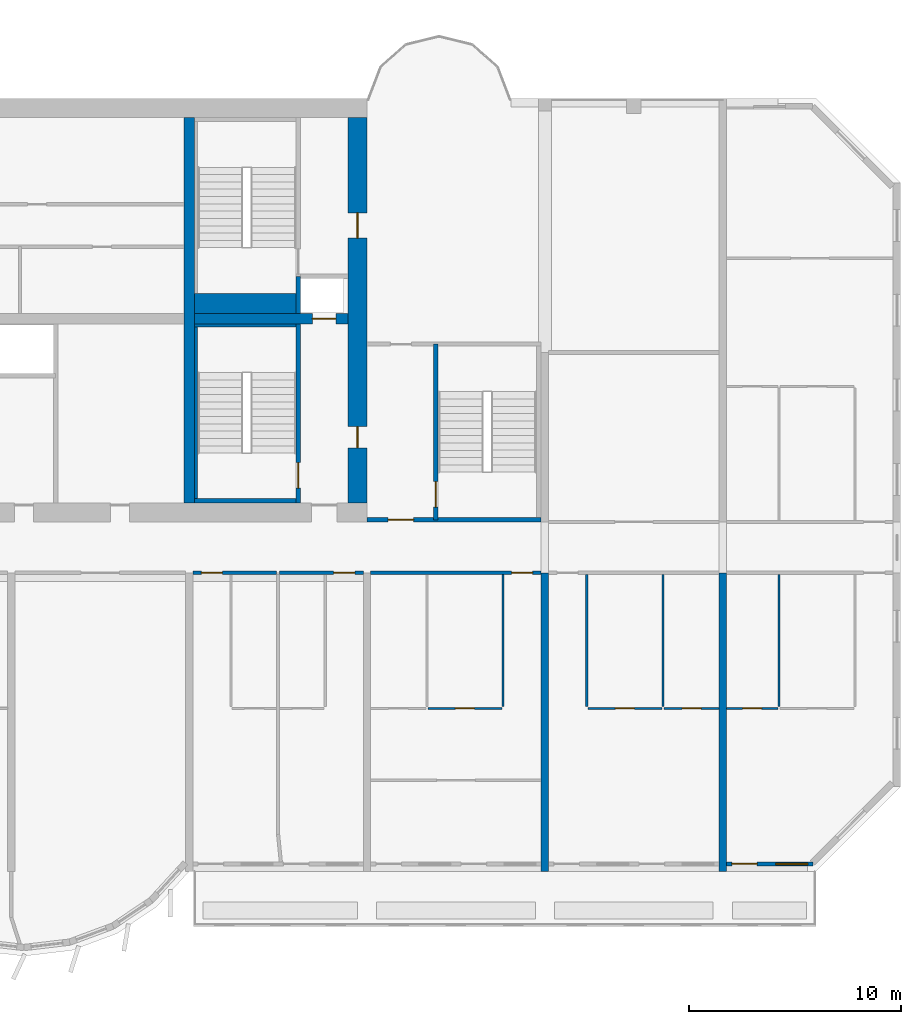
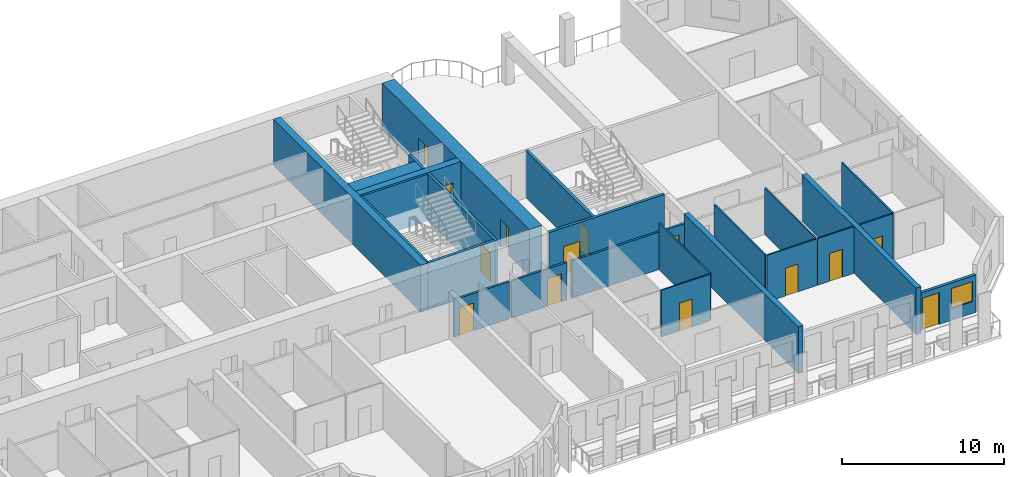
# One storey, part 9 of 14: 25 walls, 14 doors, 1 window, 15 openings.
"""IFC4 building model written with IfcOpenShell, lengths in metres."""

from ifc_helpers import new_model, si_unit, direction, frame, frame_2d, origin, place, context, subcontext, project, spatial, rectangle, extrude, source, transform, mapped, material, layer, layer_set, type_object, element, fill, save


model = new_model("IFC4")

# Units and contexts
model_context = context("Model", 3, precision=1e-05, world=origin(), true_north=direction((0.0, 1.0)))
body_context = subcontext(model_context, "Body", "Model", "MODEL_VIEW")
ifc_project = project(units=[si_unit("LENGTHUNIT", "METRE"), si_unit("AREAUNIT", "SQUARE_METRE"), si_unit("VOLUMEUNIT", "CUBIC_METRE"), si_unit("PLANEANGLEUNIT", "RADIAN"), si_unit("MASSUNIT", "GRAM", prefix="KILO")], contexts=[model_context])

# Site, building, storey
site_placement = place(None, origin())
site = spatial("IfcSite", under=ifc_project, at=site_placement, CompositionType="ELEMENT")
building_placement = place(site_placement, origin())
building = spatial("IfcBuilding", under=site, at=building_placement, Name="Vanashikhar Sky Hotel", CompositionType="ELEMENT")
storey_placement = place(building_placement, frame((0.0, 0.0, 121.800048828125)))
storey = spatial("IfcBuildingStorey", under=building, at=storey_placement, Name="L29", CompositionType="ELEMENT", Elevation=121.800048828125)

# Wall, openings, doors
ifc_material_1 = material(Name="Concrete M70", Category="concrete")
ifc_layer_1 = layer(ifc_material_1, 0.89990234375)
ifc_layer_set_1 = layer_set([ifc_layer_1], Name="RC core shell wall 900 Concrete M70")
wall_type_1 = type_object("IfcWallType", Name="RC core shell wall 900 Concrete M70", PredefinedType="SHEAR", material=ifc_layer_set_1)
shared_shape_1 = source(origin(), body_context, "Body", "SweptSolid", [
    extrude(rectangle(XDim=18.2001953125, YDim=0.89990234375, at=frame_2d((9.10009765625, 0.0))), origin(), (0.0, 0.0, 1.0), 3.52001953125),
])
wall_1_placement = place(storey_placement, frame((75.14990234375, 22.89990234375, 0.0), z_axis=(0.0, 0.0, 1.0), x_axis=(0.0, 1.0, 0.0)))
wall_1 = element("IfcWall", 1, at=wall_1_placement, inside=storey, type_object=wall_type_1, Name="KW-L29-KE", PredefinedType="SHEAR", context=body_context, shape_type="MappedRepresentation", body=[
    mapped(shared_shape_1, transform((0.0, 0.0, 0.0), scale=1.0)),
])
shared_shape_2 = source(origin(), body_context, "Body", "SweptSolid", [
    extrude(rectangle(XDim=1.0, YDim=2.10009765625, at=frame_2d((0.5, 1.050048828125))), frame((0.0, 0.4599609375, 0.0), z_axis=(0.0, -1.0, 0.0), x_axis=(1.0, 0.0, 0.0)), (0.0, 0.0, 1.0), 0.919921875),
])
opening_1_placement = place(wall_1_placement, frame((2.60009765625, 0.0, 0.0)))
opening_1 = element("IfcOpeningElement", 2, at=opening_1_placement, cuts=wall_1, Name="Opening DC-5", PredefinedType="OPENING", context=body_context, shape_type="MappedRepresentation", body=[
    mapped(shared_shape_2, transform((0.0, 0.0, 0.0), scale=1.0)),
])
shared_shape_3 = source(origin(), body_context, "Body", "SweptSolid", [
    extrude(rectangle(XDim=1.199951171875, YDim=2.10009765625, at=frame_2d((0.60009765625, 1.050048828125))), frame((0.0, 0.4599609375, 0.0), z_axis=(0.0, -1.0, 0.0), x_axis=(1.0, 0.0, 0.0)), (0.0, 0.0, 1.0), 0.919921875),
])
opening_2_placement = place(wall_1_placement, frame((12.5, 0.0, 0.0)))
opening_2 = element("IfcOpeningElement", 3, at=opening_2_placement, cuts=wall_1, Name="Opening DC-4-D", PredefinedType="OPENING", context=body_context, shape_type="MappedRepresentation", body=[
    mapped(shared_shape_3, transform((0.0, 0.0, 0.0), scale=1.0)),
])
ifc_material_2 = material(Name="Steel", Category="steel")
door_type_1 = type_object("IfcDoorType", Name="Refuge door 1000 FD120", OperationType="NOTDEFINED", PredefinedType="DOOR", material=ifc_material_2)
shared_shape_4 = source(origin(), body_context, "Body", "SweptSolid", [
    extrude(rectangle(XDim=1.0, YDim=2.10009765625, at=frame_2d((0.5, 1.050048828125))), frame((0.0, 0.02490234375, 0.0), z_axis=(0.0, -1.0, 0.0), x_axis=(1.0, 0.0, 0.0)), (0.0, 0.0, 1.0), 0.050048828125),
])
door_1_placement = place(opening_1_placement, origin())
door_1 = element("IfcDoor", 4, at=door_1_placement, inside=storey, type_object=door_type_1, Name="Refuge door 1000 FD120", OperationType="SINGLE_SWING_RIGHT", OverallHeight=2.10009765625, OverallWidth=1.0, PredefinedType="DOOR", context=body_context, shape_type="MappedRepresentation", body=[
    mapped(shared_shape_4, transform((0.0, 0.0, 0.0), scale=1.0)),
])
fill(opening_1, door_1)
door_type_2 = type_object("IfcDoorType", Name="Service door 1200 FD120", OperationType="NOTDEFINED", PredefinedType="DOOR", material=ifc_material_2)
shared_shape_5 = source(origin(), body_context, "Body", "SweptSolid", [
    extrude(rectangle(XDim=1.199951171875, YDim=2.10009765625, at=frame_2d((0.60009765625, 1.050048828125))), frame((0.0, 0.02490234375, 0.0), z_axis=(0.0, -1.0, 0.0), x_axis=(1.0, 0.0, 0.0)), (0.0, 0.0, 1.0), 0.050048828125),
])
door_2_placement = place(opening_2_placement, origin())
door_2 = element("IfcDoor", 5, at=door_2_placement, inside=storey, type_object=door_type_2, Name="Service door 1200 FD120", OperationType="SINGLE_SWING_RIGHT", OverallHeight=2.10009765625, OverallWidth=1.199951171875, PredefinedType="DOOR", context=body_context, shape_type="MappedRepresentation", body=[
    mapped(shared_shape_5, transform((0.0, 0.0, 0.0), scale=1.0)),
])
fill(opening_2, door_2)

# Wall
ifc_layer_2 = layer(ifc_material_1, 0.5)
ifc_layer_set_2 = layer_set([ifc_layer_2], Name="RC core inner wall 500 Concrete M70")
wall_type_2 = type_object("IfcWallType", Name="RC core inner wall 500 Concrete M70", PredefinedType="SHEAR", material=ifc_layer_set_2)
shared_shape_6 = source(origin(), body_context, "Body", "SweptSolid", [
    extrude(rectangle(XDim=18.2001953125, YDim=0.5, at=frame_2d((9.10009765625, 0.0))), origin(), (0.0, 0.0, 1.0), 3.52001953125),
])
wall_2_placement = place(storey_placement, frame((67.199951171875, 22.89990234375, 0.0), z_axis=(0.0, 0.0, 1.0), x_axis=(0.0, 1.0, 0.0)))
element("IfcWall", 6, at=wall_2_placement, inside=storey, type_object=wall_type_2, Name="KW-L29-KX3", PredefinedType="SHEAR", context=body_context, shape_type="MappedRepresentation", body=[
    mapped(shared_shape_6, transform((0.0, 0.0, 0.0), scale=1.0)),
])

# Wall, opening, door
shared_shape_7 = source(origin(), body_context, "Body", "SweptSolid", [
    extrude(rectangle(XDim=7.25, YDim=0.5, at=frame_2d((3.625, 0.0))), origin(), (0.0, 0.0, 1.0), 3.52001953125),
])
wall_3_placement = place(storey_placement, frame((67.449951171875, 31.60009765625, 0.0), z_axis=(0.0, 0.0, 1.0), x_axis=(1.0, 0.0, 0.0)))
wall_3 = element("IfcWall", 7, at=wall_3_placement, inside=storey, type_object=wall_type_2, Name="KW-L29-KY4", PredefinedType="SHEAR", context=body_context, shape_type="MappedRepresentation", body=[
    mapped(shared_shape_7, transform((0.0, 0.0, 0.0), scale=1.0)),
])
shared_shape_8 = source(origin(), body_context, "Body", "SweptSolid", [
    extrude(rectangle(XDim=1.10009765625, YDim=2.10009765625, at=frame_2d((0.550048828125, 1.050048828125))), frame((0.0, 0.260009765625, 0.0), z_axis=(0.0, -1.0, 0.0), x_axis=(1.0, 0.0, 0.0)), (0.0, 0.0, 1.0), 0.52001953125),
])
opening_3_placement = place(wall_3_placement, frame((5.574951171875, 0.0, 0.0)))
opening_3 = element("IfcOpeningElement", 8, at=opening_3_placement, cuts=wall_3, Name="Opening LD", PredefinedType="OPENING", context=body_context, shape_type="MappedRepresentation", body=[
    mapped(shared_shape_8, transform((0.0, 0.0, 0.0), scale=1.0)),
])
ifc_material_3 = material(Name="Stainless steel", Category="steel")
door_type_3 = type_object("IfcDoorType", Name="Lift landing door 1100", OperationType="NOTDEFINED", PredefinedType="DOOR", material=ifc_material_3)
shared_shape_9 = source(origin(), body_context, "Body", "SweptSolid", [
    extrude(rectangle(XDim=1.10009765625, YDim=2.10009765625, at=frame_2d((0.550048828125, 1.050048828125))), frame((0.0, 0.02490234375, 0.0), z_axis=(0.0, -1.0, 0.0), x_axis=(1.0, 0.0, 0.0)), (0.0, 0.0, 1.0), 0.050048828125),
])
door_3_placement = place(opening_3_placement, origin())
door_3 = element("IfcDoor", 9, at=door_3_placement, inside=storey, type_object=door_type_3, Name="Lift landing door 1100", OperationType="SLIDING_TO_LEFT", OverallHeight=2.10009765625, OverallWidth=1.10009765625, PredefinedType="DOOR", context=body_context, shape_type="MappedRepresentation", body=[
    mapped(shared_shape_9, transform((0.0, 0.0, 0.0), scale=1.0)),
])
fill(opening_3, door_3)

# Walls
ifc_layer_3 = layer(ifc_material_1, 0.35009765625)
ifc_layer_set_3 = layer_set([ifc_layer_3], Name="RC shear wall 350 Concrete M70")
wall_type_3 = type_object("IfcWallType", Name="RC shear wall 350 Concrete M70", PredefinedType="SHEAR", material=ifc_layer_set_3)
shared_shape_10 = source(origin(), body_context, "Body", "SweptSolid", [
    extrude(rectangle(XDim=14.10009765625, YDim=0.35009765625, at=frame_2d((7.050048828125, 0.0))), origin(), (0.0, 0.0, 1.0), 3.52001953125),
])
for number, where, z_axis, x_axis, name in (
    (10, (84.0, 5.5, 0.0), (0.0, 0.0, 1.0), (0.0, 1.0, 0.0), "CW-L29-XW11-1"),
    (11, (92.39990234375, 5.5, 0.0), (0.0, 0.0, 1.0), (0.0, 1.0, 0.0), "CW-L29-XW12-1"),
):
    element("IfcWall", number, at=place(storey_placement, frame(where, z_axis=z_axis, x_axis=x_axis)), inside=storey, type_object=wall_type_3, Name=name, PredefinedType="SHEAR", context=body_context, shape_type="MappedRepresentation", body=[
        mapped(shared_shape_10, transform((0.0, 0.0, 0.0), scale=1.0)),
    ])

# Wall, openings, window, door
ifc_material_4 = material(Name="Concrete M50", Category="concrete")
ifc_layer_4 = layer(ifc_material_4, 0.199951171875)
ifc_layer_set_4 = layer_set([ifc_layer_4], Name="Front window wall 200")
wall_type_4 = type_object("IfcWallType", Name="Front window wall 200", PredefinedType="SOLIDWALL", material=ifc_layer_set_4)
shared_shape_11 = source(origin(), body_context, "Body", "SweptSolid", [
    extrude(rectangle(XDim=4.080078125, YDim=0.199951171875, at=frame_2d((2.0400390625, 0.0))), origin(), (0.0, 0.0, 1.0), 2.820068359375),
])
wall_4_placement = place(storey_placement, frame((92.574951171875, 5.85009765625, 0.0), z_axis=(0.0, 0.0, 1.0), x_axis=(1.0, 0.0, 0.0)))
wall_4 = element("IfcWall", 12, at=wall_4_placement, inside=storey, type_object=wall_type_4, Name="Front window wall", PredefinedType="SOLIDWALL", context=body_context, shape_type="MappedRepresentation", body=[
    mapped(shared_shape_11, transform((0.0, 0.0, 0.0), scale=1.0)),
])
shared_shape_12 = source(origin(), body_context, "Body", "SweptSolid", [
    extrude(rectangle(XDim=1.199951171875, YDim=2.39990234375, at=frame_2d((0.60009765625, 1.199951171875))), frame((0.0, 0.10986328125, 0.0), z_axis=(0.0, -1.0, 0.0), x_axis=(1.0, 0.0, 0.0)), (0.0, 0.0, 1.0), 0.219970703125),
])
opening_4_placement = place(wall_4_placement, frame((0.25, 0.0, 0.0)))
opening_4 = element("IfcOpeningElement", 13, at=opening_4_placement, cuts=wall_4, Name="Opening BD-14", PredefinedType="OPENING", context=body_context, shape_type="MappedRepresentation", body=[
    mapped(shared_shape_12, transform((0.0, 0.0, 0.0), scale=1.0)),
])
shared_shape_13 = source(origin(), body_context, "Body", "SweptSolid", [
    extrude(rectangle(XDim=1.5, YDim=1.5, at=frame_2d((0.75, 0.75))), frame((0.0, 0.10986328125, 0.0), z_axis=(0.0, -1.0, 0.0), x_axis=(1.0, 0.0, 0.0)), (0.0, 0.0, 1.0), 0.219970703125),
])
opening_5_placement = place(wall_4_placement, frame((2.330078125, 0.0, 0.89990234375)))
opening_5 = element("IfcOpeningElement", 14, at=opening_5_placement, cuts=wall_4, Name="Opening WN-1", PredefinedType="OPENING", context=body_context, shape_type="MappedRepresentation", body=[
    mapped(shared_shape_13, transform((0.0, 0.0, 0.0), scale=1.0)),
])
ifc_material_5 = material(Name="Glass", Category="glass")
window_type = type_object("IfcWindowType", Name="Window 1500 x 1500", PartitioningType="SINGLE_PANEL", PredefinedType="WINDOW", material=ifc_material_5)
shared_shape_14 = source(origin(), body_context, "Body", "SweptSolid", [
    extrude(rectangle(XDim=1.5, YDim=1.5, at=frame_2d((0.75, 0.75))), frame((0.0, 0.030029296875, 0.0), z_axis=(0.0, -1.0, 0.0), x_axis=(1.0, 0.0, 0.0)), (0.0, 0.0, 1.0), 0.06005859375),
])
window_placement = place(opening_5_placement, origin())
window = element("IfcWindow", 15, at=window_placement, inside=storey, type_object=window_type, Name="Window WN-1", OverallHeight=1.5, OverallWidth=1.5, PartitioningType="SINGLE_PANEL", PredefinedType="WINDOW", context=body_context, shape_type="MappedRepresentation", body=[
    mapped(shared_shape_14, transform((0.0, 0.0, 0.0), scale=1.0)),
])
fill(opening_5, window)
ifc_material_6 = material(Name="Aluminium", Category="aluminium")
door_type_4 = type_object("IfcDoorType", Name="Balcony sliding door 1200 x 2400", OperationType="NOTDEFINED", PredefinedType="DOOR", material=ifc_material_6)
shared_shape_15 = source(origin(), body_context, "Body", "SweptSolid", [
    extrude(rectangle(XDim=1.199951171875, YDim=2.39990234375, at=frame_2d((0.60009765625, 1.199951171875))), frame((0.0, 0.02490234375, 0.0), z_axis=(0.0, -1.0, 0.0), x_axis=(1.0, 0.0, 0.0)), (0.0, 0.0, 1.0), 0.050048828125),
])
door_4_placement = place(opening_4_placement, origin())
door_4 = element("IfcDoor", 16, at=door_4_placement, inside=storey, type_object=door_type_4, Name="Balcony sliding door", OperationType="SLIDING_TO_RIGHT", OverallHeight=2.39990234375, OverallWidth=1.199951171875, PredefinedType="DOOR", context=body_context, shape_type="MappedRepresentation", body=[
    mapped(shared_shape_15, transform((0.0, 0.0, 0.0), scale=1.0)),
])
fill(opening_4, door_4)

# Wall, opening, door
ifc_layer_5 = layer(ifc_material_4, 0.199951171875)
ifc_layer_set_5 = layer_set([ifc_layer_5], Name="Stair wall 200")
wall_type_5 = type_object("IfcWallType", Name="Stair wall 200", PredefinedType="SOLIDWALL", material=ifc_layer_set_5)
shared_shape_16 = source(origin(), body_context, "Body", "SweptSolid", [
    extrude(rectangle(XDim=8.2998046875, YDim=0.199951171875, at=frame_2d((4.14990234375, 0.0))), origin(), (0.0, 0.0, 1.0), 3.52001953125),
])
wall_5_placement = place(storey_placement, frame((78.85009765625, 22.10009765625, 0.0), z_axis=(0.0, 0.0, 1.0), x_axis=(0.0, 1.0, 0.0)))
wall_5 = element("IfcWall", 17, at=wall_5_placement, inside=storey, type_object=wall_type_5, Name="Stair wall 200", PredefinedType="SOLIDWALL", context=body_context, shape_type="MappedRepresentation", body=[
    mapped(shared_shape_16, transform((0.0, 0.0, 0.0), scale=1.0)),
])
shared_shape_17 = source(origin(), body_context, "Body", "SweptSolid", [
    extrude(rectangle(XDim=1.199951171875, YDim=2.10009765625, at=frame_2d((0.60009765625, 1.050048828125))), frame((0.0, 0.10986328125, 0.0), z_axis=(0.0, -1.0, 0.0), x_axis=(1.0, 0.0, 0.0)), (0.0, 0.0, 1.0), 0.219970703125),
])
opening_6_placement = place(wall_5_placement, frame((0.60009765625, 0.0, 0.0)))
opening_6 = element("IfcOpeningElement", 18, at=opening_6_placement, cuts=wall_5, Name="Opening DC-1", PredefinedType="OPENING", context=body_context, shape_type="MappedRepresentation", body=[
    mapped(shared_shape_17, transform((0.0, 0.0, 0.0), scale=1.0)),
])
door_type_5 = type_object("IfcDoorType", Name="Stair door 1200 FD120", OperationType="NOTDEFINED", PredefinedType="DOOR", material=ifc_material_2)
door_5_placement = place(opening_6_placement, origin())
door_5 = element("IfcDoor", 19, at=door_5_placement, inside=storey, type_object=door_type_5, Name="Stair door 1200 FD120", OperationType="SINGLE_SWING_LEFT", OverallHeight=2.10009765625, OverallWidth=1.199951171875, PredefinedType="DOOR", context=body_context, shape_type="MappedRepresentation", body=[
    mapped(shared_shape_5, transform((0.0, 0.0, 0.0), scale=1.0)),
])
fill(opening_6, door_5)

shared_shape_18 = source(origin(), body_context, "Body", "SweptSolid", [
    extrude(rectangle(XDim=8.4501953125, YDim=0.199951171875, at=frame_2d((4.22509765625, 0.0))), origin(), (0.0, 0.0, 1.0), 3.52001953125),
])
wall_6_placement = place(storey_placement, frame((72.35009765625, 22.89990234375, 0.0), z_axis=(0.0, 0.0, 1.0), x_axis=(0.0, 1.0, 0.0)))
wall_6 = element("IfcWall", 20, at=wall_6_placement, inside=storey, type_object=wall_type_5, Name="Stair wall 200", PredefinedType="SOLIDWALL", context=body_context, shape_type="MappedRepresentation", body=[
    mapped(shared_shape_18, transform((0.0, 0.0, 0.0), scale=1.0)),
])
opening_7_placement = place(wall_6_placement, frame((0.699951171875, 0.0, 0.0)))
opening_7 = element("IfcOpeningElement", 21, at=opening_7_placement, cuts=wall_6, Name="Opening DC-1", PredefinedType="OPENING", context=body_context, shape_type="MappedRepresentation", body=[
    mapped(shared_shape_17, transform((0.0, 0.0, 0.0), scale=1.0)),
])
door_6_placement = place(opening_7_placement, origin())
door_6 = element("IfcDoor", 22, at=door_6_placement, inside=storey, type_object=door_type_5, Name="Stair door 1200 FD120", OperationType="SINGLE_SWING_LEFT", OverallHeight=2.10009765625, OverallWidth=1.199951171875, PredefinedType="DOOR", context=body_context, shape_type="MappedRepresentation", body=[
    mapped(shared_shape_5, transform((0.0, 0.0, 0.0), scale=1.0)),
])
fill(opening_7, door_6)

# Wall
ifc_material_7 = material(Name="Concrete M40", Category="concrete")
ifc_layer_6 = layer(ifc_material_7, 0.199951171875)
ifc_layer_set_6 = layer_set([ifc_layer_6], Name="Shaft wall 200")
wall_type_6 = type_object("IfcWallType", Name="Shaft wall 200", PredefinedType="SOLIDWALL", material=ifc_layer_set_6)
shared_shape_19 = source(origin(), body_context, "Body", "SweptSolid", [
    extrude(rectangle(XDim=1.75, YDim=0.199951171875, at=frame_2d((0.875, 0.0))), origin(), (0.0, 0.0, 1.0), 3.52001953125),
])
wall_7_placement = place(storey_placement, frame((72.35009765625, 31.85009765625, 0.0), z_axis=(0.0, 0.0, 1.0), x_axis=(0.0, 1.0, 0.0)))
element("IfcWall", 23, at=wall_7_placement, inside=storey, type_object=wall_type_6, Name="Shaft wall 200", PredefinedType="SOLIDWALL", context=body_context, shape_type="MappedRepresentation", body=[
    mapped(shared_shape_19, transform((0.0, 0.0, 0.0), scale=1.0)),
])

# Wall, opening, door
shared_shape_20 = source(origin(), body_context, "Body", "SweptSolid", [
    extrude(rectangle(XDim=8.224853515625, YDim=0.199951171875, at=frame_2d((4.1123046875, 0.0))), origin(), (0.0, 0.0, 1.0), 3.52001953125),
])
wall_8_placement = place(storey_placement, frame((83.824951171875, 22.10009765625, 0.0), z_axis=(0.0, 0.0, 1.0), x_axis=(-1.0, 0.0, 0.0)))
wall_8 = element("IfcWall", 24, at=wall_8_placement, inside=storey, type_object=wall_type_5, Name="Stair wall 200", PredefinedType="SOLIDWALL", context=body_context, shape_type="MappedRepresentation", body=[
    mapped(shared_shape_20, transform((0.0, 0.0, 0.0), scale=1.0)),
])
opening_8_placement = place(wall_8_placement, frame((6.02490234375, 0.0, 0.0)))
opening_8 = element("IfcOpeningElement", 25, at=opening_8_placement, cuts=wall_8, Name="Opening DC-2", PredefinedType="OPENING", context=body_context, shape_type="MappedRepresentation", body=[
    mapped(shared_shape_17, transform((0.0, 0.0, 0.0), scale=1.0)),
])
door_type_6 = type_object("IfcDoorType", Name="Firefighting lobby door 1200 FD120", OperationType="NOTDEFINED", PredefinedType="DOOR", material=ifc_material_2)
door_7_placement = place(opening_8_placement, origin())
door_7 = element("IfcDoor", 26, at=door_7_placement, inside=storey, type_object=door_type_6, Name="Firefighting lobby door 1200 FD120", OperationType="SINGLE_SWING_RIGHT", OverallHeight=2.10009765625, OverallWidth=1.199951171875, PredefinedType="DOOR", context=body_context, shape_type="MappedRepresentation", body=[
    mapped(shared_shape_5, transform((0.0, 0.0, 0.0), scale=1.0)),
])
fill(opening_8, door_7)

# Walls
ifc_layer_7 = layer(ifc_material_4, 0.199951171875)
ifc_layer_set_7 = layer_set([ifc_layer_7], Name="Stair infill wall 200")
wall_type_7 = type_object("IfcWallType", Name="Stair infill wall 200", PredefinedType="SOLIDWALL", material=ifc_layer_set_7)
shared_shape_21 = source(origin(), body_context, "Body", "SweptSolid", [
    extrude(rectangle(XDim=4.800048828125, YDim=0.199951171875, at=frame_2d((2.39990234375, 0.0))), origin(), (0.0, 0.0, 1.0), 3.52001953125),
])
wall_9_placement = place(storey_placement, frame((67.449951171875, 23.0, 0.0), z_axis=(0.0, 0.0, 1.0), x_axis=(1.0, 0.0, 0.0)))
element("IfcWall", 27, at=wall_9_placement, inside=storey, type_object=wall_type_7, Name="Stair infill wall 200", PredefinedType="SOLIDWALL", context=body_context, shape_type="MappedRepresentation", body=[
    mapped(shared_shape_21, transform((0.0, 0.0, 0.0), scale=1.0)),
])
ifc_layer_8 = layer(ifc_material_4, 0.14990234375)
ifc_layer_set_8 = layer_set([ifc_layer_8], Name="Stair infill wall 150")
wall_type_8 = type_object("IfcWallType", Name="Stair infill wall 150", PredefinedType="SOLIDWALL", material=ifc_layer_set_8)
shared_shape_22 = source(origin(), body_context, "Body", "SweptSolid", [
    extrude(rectangle(XDim=4.800048828125, YDim=0.14990234375, at=frame_2d((2.39990234375, 0.0))), origin(), (0.0, 0.0, 1.0), 3.52001953125),
])
wall_10_placement = place(storey_placement, frame((67.449951171875, 31.27490234375, 0.0), z_axis=(0.0, 0.0, 1.0), x_axis=(1.0, 0.0, 0.0)))
element("IfcWall", 28, at=wall_10_placement, inside=storey, type_object=wall_type_8, Name="Stair infill wall 150", PredefinedType="SOLIDWALL", context=body_context, shape_type="MappedRepresentation", body=[
    mapped(shared_shape_22, transform((0.0, 0.0, 0.0), scale=1.0)),
])
shared_shape_23 = source(origin(), body_context, "Body", "SweptSolid", [
    extrude(rectangle(XDim=8.099853515625, YDim=0.14990234375, at=frame_2d((4.0498046875, 0.0))), origin(), (0.0, 0.0, 1.0), 3.52001953125),
])
wall_11_placement = place(storey_placement, frame((67.52490234375, 23.10009765625, 0.0), z_axis=(0.0, 0.0, 1.0), x_axis=(0.0, 1.0, 0.0)))
element("IfcWall", 29, at=wall_11_placement, inside=storey, type_object=wall_type_8, Name="Stair infill wall 150", PredefinedType="SOLIDWALL", context=body_context, shape_type="MappedRepresentation", body=[
    mapped(shared_shape_23, transform((0.0, 0.0, 0.0), scale=1.0)),
])
ifc_layer_9 = layer(ifc_material_4, 0.949951171875)
ifc_layer_set_9 = layer_set([ifc_layer_9], Name="Stair infill wall 950")
wall_type_9 = type_object("IfcWallType", Name="Stair infill wall 950", PredefinedType="SOLIDWALL", material=ifc_layer_set_9)
shared_shape_24 = source(origin(), body_context, "Body", "SweptSolid", [
    extrude(rectangle(XDim=4.800048828125, YDim=0.949951171875, at=frame_2d((2.39990234375, 0.0))), origin(), (0.0, 0.0, 1.0), 3.52001953125),
])
wall_12_placement = place(storey_placement, frame((67.449951171875, 32.324951171875, 0.0), z_axis=(0.0, 0.0, 1.0), x_axis=(1.0, 0.0, 0.0)))
element("IfcWall", 30, at=wall_12_placement, inside=storey, type_object=wall_type_9, Name="Stair infill wall 950", PredefinedType="SOLIDWALL", context=body_context, shape_type="MappedRepresentation", body=[
    mapped(shared_shape_24, transform((0.0, 0.0, 0.0), scale=1.0)),
])

# Wall, opening, door
ifc_material_8 = material(Name="Gypsum plasterboard partition")
ifc_layer_10 = layer(ifc_material_8, 0.10009765625)
ifc_layer_set_10 = layer_set([ifc_layer_10], Name="Wet room partition 100")
wall_type_10 = type_object("IfcWallType", Name="Wet room partition 100", PredefinedType="PARTITIONING", material=ifc_layer_set_10)
shared_shape_25 = source(origin(), body_context, "Body", "SweptSolid", [
    extrude(rectangle(XDim=3.5, YDim=0.10009765625, at=frame_2d((1.75, 0.0))), origin(), (0.0, 0.0, 1.0), 3.52001953125),
])
wall_13_placement = place(storey_placement, frame((78.47509765625, 13.199951171875, 0.0), z_axis=(0.0, 0.0, 1.0), x_axis=(1.0, 0.0, 0.0)))
wall_13 = element("IfcWall", 31, at=wall_13_placement, inside=storey, type_object=wall_type_10, Name="W-L29-PW043", PredefinedType="PARTITIONING", context=body_context, shape_type="MappedRepresentation", body=[
    mapped(shared_shape_25, transform((0.0, 0.0, 0.0), scale=1.0)),
])
shared_shape_26 = source(origin(), body_context, "Body", "SweptSolid", [
    extrude(rectangle(XDim=0.89990234375, YDim=2.10009765625, at=frame_2d((0.449951171875, 1.050048828125))), frame((0.0, 0.06005859375, 0.0), z_axis=(0.0, -1.0, 0.0), x_axis=(1.0, 0.0, 0.0)), (0.0, 0.0, 1.0), 0.1201171875),
])
opening_9_placement = place(wall_13_placement, frame((1.300048828125, 0.0, 0.0)))
opening_9 = element("IfcOpeningElement", 32, at=opening_9_placement, cuts=wall_13, Name="Opening D-02", PredefinedType="OPENING", context=body_context, shape_type="MappedRepresentation", body=[
    mapped(shared_shape_26, transform((0.0, 0.0, 0.0), scale=1.0)),
])
ifc_material_9 = material(Name="Timber door", Category="wood")
door_type_7 = type_object("IfcDoorType", Name="Internal door 900", OperationType="NOTDEFINED", PredefinedType="DOOR", material=ifc_material_9)
shared_shape_27 = source(origin(), body_context, "Body", "SweptSolid", [
    extrude(rectangle(XDim=0.89990234375, YDim=2.10009765625, at=frame_2d((0.449951171875, 1.050048828125))), frame((0.0, 0.02490234375, 0.0), z_axis=(0.0, -1.0, 0.0), x_axis=(1.0, 0.0, 0.0)), (0.0, 0.0, 1.0), 0.050048828125),
])
door_8_placement = place(opening_9_placement, origin())
door_8 = element("IfcDoor", 33, at=door_8_placement, inside=storey, type_object=door_type_7, Name="D-L29-026", OperationType="SINGLE_SWING_RIGHT", OverallHeight=2.10009765625, OverallWidth=0.89990234375, PredefinedType="DOOR", context=body_context, shape_type="MappedRepresentation", body=[
    mapped(shared_shape_27, transform((0.0, 0.0, 0.0), scale=1.0)),
])
fill(opening_9, door_8)

wall_14_placement = place(storey_placement, frame((86.02490234375, 13.199951171875, 0.0), z_axis=(0.0, 0.0, 1.0), x_axis=(1.0, 0.0, 0.0)))
wall_14 = element("IfcWall", 34, at=wall_14_placement, inside=storey, type_object=wall_type_10, Name="W-L29-PW049", PredefinedType="PARTITIONING", context=body_context, shape_type="MappedRepresentation", body=[
    mapped(shared_shape_25, transform((0.0, 0.0, 0.0), scale=1.0)),
])
opening_10_placement = place(wall_14_placement, frame((1.300048828125, 0.0, 0.0)))
opening_10 = element("IfcOpeningElement", 35, at=opening_10_placement, cuts=wall_14, Name="Opening D-02", PredefinedType="OPENING", context=body_context, shape_type="MappedRepresentation", body=[
    mapped(shared_shape_26, transform((0.0, 0.0, 0.0), scale=1.0)),
])
door_9_placement = place(opening_10_placement, origin())
door_9 = element("IfcDoor", 36, at=door_9_placement, inside=storey, type_object=door_type_7, Name="D-L29-030", OperationType="SINGLE_SWING_LEFT", OverallHeight=2.10009765625, OverallWidth=0.89990234375, PredefinedType="DOOR", context=body_context, shape_type="MappedRepresentation", body=[
    mapped(shared_shape_27, transform((0.0, 0.0, 0.0), scale=1.0)),
])
fill(opening_10, door_9)

# Walls
shared_shape_28 = source(origin(), body_context, "Body", "SweptSolid", [
    extrude(rectangle(XDim=6.25, YDim=0.10009765625, at=frame_2d((3.125, 0.0))), origin(), (0.0, 0.0, 1.0), 3.52001953125),
])
for number, where, z_axis, x_axis, name in (
    (37, (82.02490234375, 13.27490234375, 0.0), (0.0, 0.0, 1.0), (0.0, 1.0, 0.0), "W-L29-PW041"),
    (38, (85.97509765625, 13.27490234375, 0.0), (0.0, 0.0, 1.0), (0.0, 1.0, 0.0), "W-L29-PW047"),
    (39, (89.574951171875, 13.27490234375, 0.0), (0.0, 0.0, 1.0), (0.0, 1.0, 0.0), "W-L29-PW048"),
    (40, (95.050048828125, 13.27490234375, 0.0), (0.0, 0.0, 1.0), (0.0, 1.0, 0.0), "W-L29-PW053"),
):
    element("IfcWall", number, at=place(storey_placement, frame(where, z_axis=z_axis, x_axis=x_axis)), inside=storey, type_object=wall_type_10, Name=name, PredefinedType="PARTITIONING", context=body_context, shape_type="MappedRepresentation", body=[
        mapped(shared_shape_28, transform((0.0, 0.0, 0.0), scale=1.0)),
    ])

# Wall, opening, door
shared_shape_29 = source(origin(), body_context, "Body", "SweptSolid", [
    extrude(rectangle(XDim=2.60009765625, YDim=0.10009765625, at=frame_2d((1.300048828125, 0.0))), origin(), (0.0, 0.0, 1.0), 3.52001953125),
])
wall_15_placement = place(storey_placement, frame((89.625, 13.199951171875, 0.0), z_axis=(0.0, 0.0, 1.0), x_axis=(1.0, 0.0, 0.0)))
wall_15 = element("IfcWall", 41, at=wall_15_placement, inside=storey, type_object=wall_type_10, Name="W-L29-PW050", PredefinedType="PARTITIONING", context=body_context, shape_type="MappedRepresentation", body=[
    mapped(shared_shape_29, transform((0.0, 0.0, 0.0), scale=1.0)),
])
opening_11_placement = place(wall_15_placement, frame((0.85009765625, 0.0, 0.0)))
opening_11 = element("IfcOpeningElement", 42, at=opening_11_placement, cuts=wall_15, Name="Opening D-02", PredefinedType="OPENING", context=body_context, shape_type="MappedRepresentation", body=[
    mapped(shared_shape_26, transform((0.0, 0.0, 0.0), scale=1.0)),
])
door_10_placement = place(opening_11_placement, origin())
door_10 = element("IfcDoor", 43, at=door_10_placement, inside=storey, type_object=door_type_7, Name="D-L29-031", OperationType="SINGLE_SWING_LEFT", OverallHeight=2.10009765625, OverallWidth=0.89990234375, PredefinedType="DOOR", context=body_context, shape_type="MappedRepresentation", body=[
    mapped(shared_shape_27, transform((0.0, 0.0, 0.0), scale=1.0)),
])
fill(opening_11, door_10)

ifc_layer_11 = layer(ifc_material_8, 0.14990234375)
ifc_layer_set_11 = layer_set([ifc_layer_11], Name="Corridor and demising partition 150")
wall_type_11 = type_object("IfcWallType", Name="Corridor and demising partition 150", PredefinedType="PARTITIONING", material=ifc_layer_set_11)
shared_shape_30 = source(origin(), body_context, "Body", "SweptSolid", [
    extrude(rectangle(XDim=8.050048828125, YDim=0.14990234375, at=frame_2d((4.02490234375, 0.0))), origin(), (0.0, 0.0, 1.0), 2.820068359375),
])
wall_16_placement = place(storey_placement, frame((75.77490234375, 19.60009765625, 0.0), z_axis=(0.0, 0.0, 1.0), x_axis=(1.0, 0.0, 0.0)))
wall_16 = element("IfcWall", 44, at=wall_16_placement, inside=storey, type_object=wall_type_11, Name="W-L29-PW046", PredefinedType="PARTITIONING", context=body_context, shape_type="MappedRepresentation", body=[
    mapped(shared_shape_30, transform((0.0, 0.0, 0.0), scale=1.0)),
])
shared_shape_31 = source(origin(), body_context, "Body", "SweptSolid", [
    extrude(rectangle(XDim=1.0, YDim=2.10009765625, at=frame_2d((0.5, 1.050048828125))), frame((0.0, 0.0849609375, 0.0), z_axis=(0.0, -1.0, 0.0), x_axis=(1.0, 0.0, 0.0)), (0.0, 0.0, 1.0), 0.169921875),
])
opening_12_placement = place(wall_16_placement, frame((6.64990234375, 0.0, 0.0)))
opening_12 = element("IfcOpeningElement", 45, at=opening_12_placement, cuts=wall_16, Name="Opening D-01", PredefinedType="OPENING", context=body_context, shape_type="MappedRepresentation", body=[
    mapped(shared_shape_31, transform((0.0, 0.0, 0.0), scale=1.0)),
])
ifc_material_10 = material(Name="Timber fire door", Category="wood")
door_type_8 = type_object("IfcDoorType", Name="Guest entry door 1000 FD30S", OperationType="NOTDEFINED", PredefinedType="DOOR", material=ifc_material_10)
door_11_placement = place(opening_12_placement, origin())
door_11 = element("IfcDoor", 46, at=door_11_placement, inside=storey, type_object=door_type_8, Name="D-L29-029", OperationType="SINGLE_SWING_RIGHT", OverallHeight=2.10009765625, OverallWidth=1.0, PredefinedType="DOOR", context=body_context, shape_type="MappedRepresentation", body=[
    mapped(shared_shape_4, transform((0.0, 0.0, 0.0), scale=1.0)),
])
fill(opening_12, door_11)

shared_shape_32 = source(origin(), body_context, "Body", "SweptSolid", [
    extrude(rectangle(XDim=3.949951171875, YDim=0.14990234375, at=frame_2d((1.97509765625, 0.0))), origin(), (0.0, 0.0, 1.0), 2.820068359375),
])
wall_17_placement = place(storey_placement, frame((67.375, 19.60009765625, 0.0), z_axis=(0.0, 0.0, 1.0), x_axis=(1.0, 0.0, 0.0)))
wall_17 = element("IfcWall", 47, at=wall_17_placement, inside=storey, type_object=wall_type_11, Name="W-L29-PW036", PredefinedType="PARTITIONING", context=body_context, shape_type="MappedRepresentation", body=[
    mapped(shared_shape_32, transform((0.0, 0.0, 0.0), scale=1.0)),
])
opening_13_placement = place(wall_17_placement, frame((0.39990234375, 0.0, 0.0)))
opening_13 = element("IfcOpeningElement", 48, at=opening_13_placement, cuts=wall_17, Name="Opening D-01", PredefinedType="OPENING", context=body_context, shape_type="MappedRepresentation", body=[
    mapped(shared_shape_31, transform((0.0, 0.0, 0.0), scale=1.0)),
])
door_12_placement = place(opening_13_placement, origin())
door_12 = element("IfcDoor", 49, at=door_12_placement, inside=storey, type_object=door_type_8, Name="D-L29-023", OperationType="SINGLE_SWING_LEFT", OverallHeight=2.10009765625, OverallWidth=1.0, PredefinedType="DOOR", context=body_context, shape_type="MappedRepresentation", body=[
    mapped(shared_shape_4, transform((0.0, 0.0, 0.0), scale=1.0)),
])
fill(opening_13, door_12)

wall_18_placement = place(storey_placement, frame((71.47509765625, 19.60009765625, 0.0), z_axis=(0.0, 0.0, 1.0), x_axis=(1.0, 0.0, 0.0)))
wall_18 = element("IfcWall", 50, at=wall_18_placement, inside=storey, type_object=wall_type_11, Name="W-L29-PW039", PredefinedType="PARTITIONING", context=body_context, shape_type="MappedRepresentation", body=[
    mapped(shared_shape_32, transform((0.0, 0.0, 0.0), scale=1.0)),
])
opening_14_placement = place(wall_18_placement, frame((2.550048828125, 0.0, 0.0)))
opening_14 = element("IfcOpeningElement", 51, at=opening_14_placement, cuts=wall_18, Name="Opening D-01", PredefinedType="OPENING", context=body_context, shape_type="MappedRepresentation", body=[
    mapped(shared_shape_31, transform((0.0, 0.0, 0.0), scale=1.0)),
])
door_13_placement = place(opening_14_placement, origin())
door_13 = element("IfcDoor", 52, at=door_13_placement, inside=storey, type_object=door_type_8, Name="D-L29-025", OperationType="SINGLE_SWING_RIGHT", OverallHeight=2.10009765625, OverallWidth=1.0, PredefinedType="DOOR", context=body_context, shape_type="MappedRepresentation", body=[
    mapped(shared_shape_4, transform((0.0, 0.0, 0.0), scale=1.0)),
])
fill(opening_14, door_13)

shared_shape_33 = source(origin(), body_context, "Body", "SweptSolid", [
    extrude(rectangle(XDim=2.425048828125, YDim=0.10009765625, at=frame_2d((1.21240234375, 0.0))), origin(), (0.0, 0.0, 1.0), 3.52001953125),
])
wall_19_placement = place(storey_placement, frame((92.574951171875, 13.199951171875, 0.0), z_axis=(0.0, 0.0, 1.0), x_axis=(1.0, 0.0, 0.0)))
wall_19 = element("IfcWall", 53, at=wall_19_placement, inside=storey, type_object=wall_type_10, Name="W-L29-PW055", PredefinedType="PARTITIONING", context=body_context, shape_type="MappedRepresentation", body=[
    mapped(shared_shape_33, transform((0.0, 0.0, 0.0), scale=1.0)),
])
opening_15_placement = place(wall_19_placement, frame((0.762939453125, 0.0, 0.0)))
opening_15 = element("IfcOpeningElement", 54, at=opening_15_placement, cuts=wall_19, Name="Opening D-02", PredefinedType="OPENING", context=body_context, shape_type="MappedRepresentation", body=[
    mapped(shared_shape_26, transform((0.0, 0.0, 0.0), scale=1.0)),
])
door_14_placement = place(opening_15_placement, origin())
door_14 = element("IfcDoor", 55, at=door_14_placement, inside=storey, type_object=door_type_7, Name="D-L29-034", OperationType="SINGLE_SWING_RIGHT", OverallHeight=2.10009765625, OverallWidth=0.89990234375, PredefinedType="DOOR", context=body_context, shape_type="MappedRepresentation", body=[
    mapped(shared_shape_27, transform((0.0, 0.0, 0.0), scale=1.0)),
])
fill(opening_15, door_14)

save(model, "model.ifc")
